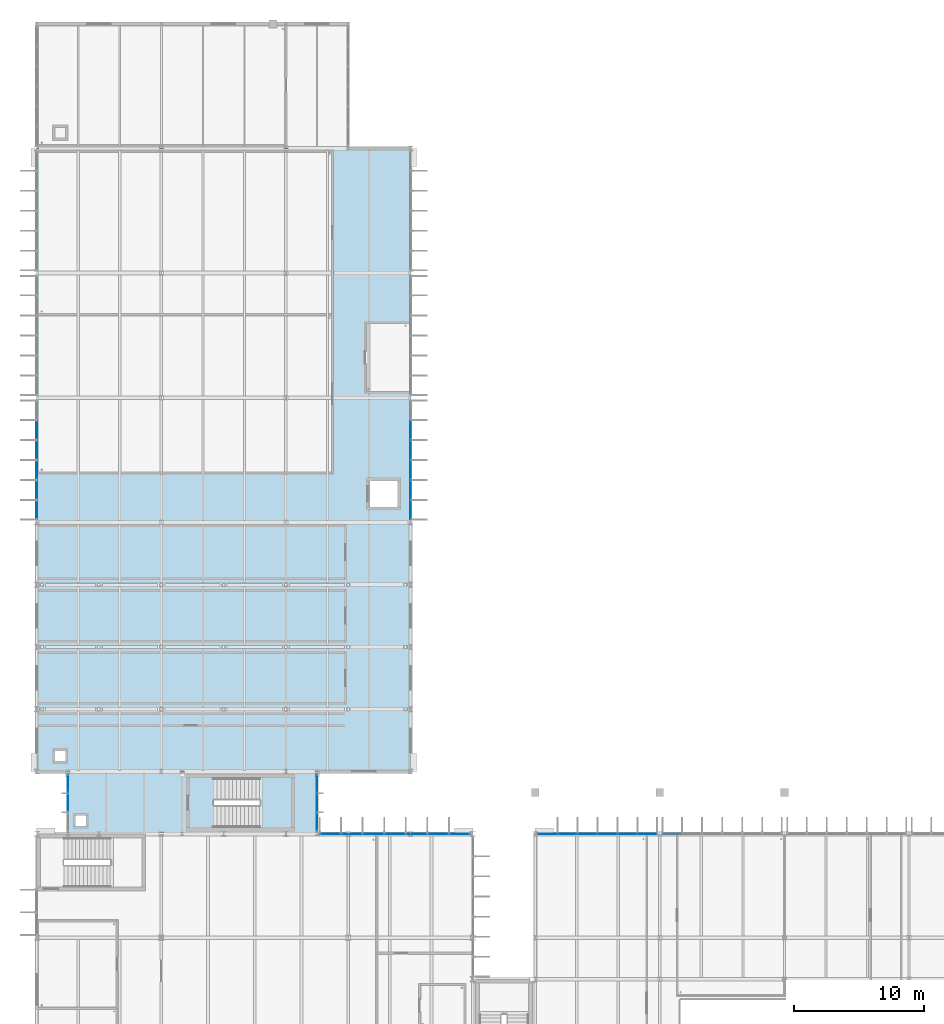
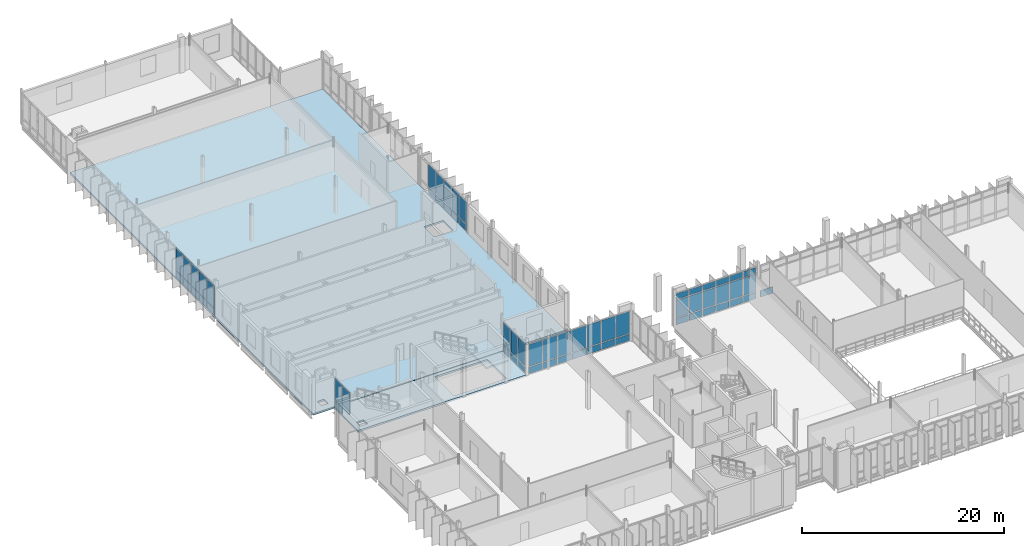
# One storey, part 51 of 110: 62 plates, 3 slabs, 8 elements without a shape of their own.
"""IFC4 building model written with IfcOpenShell, lengths in metres."""

from ifc_helpers import new_model, si_unit, direction, frame, origin, origin_2d, place, context, subcontext, project, spatial, polyline, rectangle, outline, extrude, material, layer, layer_set, type_object, element, aggregate, save


model = new_model("IFC4")

# Units and contexts
model_context = context("Model", 3, precision=1e-05, world=origin(), true_north=direction((0.0, 1.0)))
body_context = subcontext(model_context, "Body", "Model", "MODEL_VIEW")
ifc_project = project(units=[si_unit("LENGTHUNIT", "METRE"), si_unit("AREAUNIT", "SQUARE_METRE"), si_unit("VOLUMEUNIT", "CUBIC_METRE"), si_unit("PLANEANGLEUNIT", "RADIAN"), si_unit("MASSUNIT", "GRAM", prefix="KILO")], contexts=[model_context])

# Site, building, storey
site_placement = place(None, origin())
site = spatial("IfcSite", under=ifc_project, at=site_placement, CompositionType="ELEMENT")
building_placement = place(site_placement, origin())
building = spatial("IfcBuilding", under=site, at=building_placement, Name="Dunescarp Central Library", CompositionType="ELEMENT")
storey_placement = place(building_placement, frame((0.0, 0.0, 9.60009765625)))
storey = spatial("IfcBuildingStorey", under=building, at=storey_placement, Name="L02", CompositionType="ELEMENT", Elevation=9.60009765625)

# Curtain wall, plates
ifc_material_1 = material(Name="Marine-grade anodised aluminium 6063-T6", Category="aluminium")
curtain_wall_type_1 = type_object("IfcCurtainWallType", Name="ARC-CW-STICK", PredefinedType="NOTDEFINED", material=ifc_material_1)
curtain_wall_1_placement = place(storey_placement, origin())
curtain_wall_1 = element("IfcCurtainWall", 1, at=curtain_wall_1_placement, inside=storey, type_object=curtain_wall_type_1, Name="L02 curtain wall CW-V1-014", PredefinedType="NOTDEFINED")
ifc_material_2 = material(Name="Solar-control laminated double glazing", Category="glass")
ifc_layer_1 = layer(ifc_material_2, 0.028076171875)
ifc_layer_set_1 = layer_set([ifc_layer_1], Name="Solar-control laminated double glazing")
plate_type_1 = type_object("IfcPlateType", Name="ARC-PLT-GLZ28", PredefinedType="CURTAIN_PANEL", material=ifc_layer_set_1)
plate_1_placement = place(storey_placement, frame((22.627197265625, 36.800048828125, 0.93994140625), z_axis=(0.0, 0.0, 1.0), x_axis=(1.0, 0.0, 0.0)))
plate_1 = element("IfcPlate", 2, at=plate_1_placement, type_object=plate_type_1, Name="CW-V1-014 panel 1.2", PredefinedType="CURTAIN_PANEL", context=body_context, shape_type="SweptSolid", body=[
    extrude(rectangle(XDim=1.544189453125, YDim=0.028076171875, at=origin_2d()), origin(), (0.0, 0.0, 1.0), 2.6650390625),
])
plate_2_placement = place(storey_placement, frame((24.271484375, 36.800048828125, 0.93994140625), z_axis=(0.0, 0.0, 1.0), x_axis=(1.0, 0.0, 0.0)))
plate_2 = element("IfcPlate", 3, at=plate_2_placement, type_object=plate_type_1, Name="CW-V1-014 panel 2.2", PredefinedType="CURTAIN_PANEL", context=body_context, shape_type="SweptSolid", body=[
    extrude(rectangle(XDim=1.584228515625, YDim=0.028076171875, at=origin_2d()), origin(), (0.0, 0.0, 1.0), 2.6650390625),
])
plate_3_placement = place(storey_placement, frame((25.935791015625, 36.800048828125, 0.93994140625), z_axis=(0.0, 0.0, 1.0), x_axis=(1.0, 0.0, 0.0)))
plate_3 = element("IfcPlate", 4, at=plate_3_placement, type_object=plate_type_1, Name="CW-V1-014 panel 3.2", PredefinedType="CURTAIN_PANEL", context=body_context, shape_type="SweptSolid", body=[
    extrude(rectangle(XDim=1.584228515625, YDim=0.028076171875, at=origin_2d()), origin(), (0.0, 0.0, 1.0), 2.6650390625),
])
plate_4_placement = place(storey_placement, frame((27.60009765625, 36.800048828125, 0.93994140625), z_axis=(0.0, 0.0, 1.0), x_axis=(1.0, 0.0, 0.0)))
plate_4 = element("IfcPlate", 5, at=plate_4_placement, type_object=plate_type_1, Name="CW-V1-014 panel 4.2", PredefinedType="CURTAIN_PANEL", context=body_context, shape_type="SweptSolid", body=[
    extrude(rectangle(XDim=1.584228515625, YDim=0.028076171875, at=origin_2d()), origin(), (0.0, 0.0, 1.0), 2.6650390625),
])
plate_5_placement = place(storey_placement, frame((29.264404296875, 36.800048828125, 0.93994140625), z_axis=(0.0, 0.0, 1.0), x_axis=(1.0, 0.0, 0.0)))
plate_5 = element("IfcPlate", 6, at=plate_5_placement, type_object=plate_type_1, Name="CW-V1-014 panel 5.2", PredefinedType="CURTAIN_PANEL", context=body_context, shape_type="SweptSolid", body=[
    extrude(rectangle(XDim=1.584228515625, YDim=0.028076171875, at=origin_2d()), origin(), (0.0, 0.0, 1.0), 2.6650390625),
])
plate_6_placement = place(storey_placement, frame((30.928466796875, 36.800048828125, 0.93994140625), z_axis=(0.0, 0.0, 1.0), x_axis=(1.0, 0.0, 0.0)))
plate_6 = element("IfcPlate", 7, at=plate_6_placement, type_object=plate_type_1, Name="CW-V1-014 panel 6.2", PredefinedType="CURTAIN_PANEL", context=body_context, shape_type="SweptSolid", body=[
    extrude(rectangle(XDim=1.584228515625, YDim=0.028076171875, at=origin_2d()), origin(), (0.0, 0.0, 1.0), 2.6650390625),
])
plate_7_placement = place(storey_placement, frame((32.57275390625, 36.800048828125, 0.93994140625), z_axis=(0.0, 0.0, 1.0), x_axis=(1.0, 0.0, 0.0)))
plate_7 = element("IfcPlate", 8, at=plate_7_placement, type_object=plate_type_1, Name="CW-V1-014 panel 7.2", PredefinedType="CURTAIN_PANEL", context=body_context, shape_type="SweptSolid", body=[
    extrude(rectangle(XDim=1.544189453125, YDim=0.028076171875, at=origin_2d()), origin(), (0.0, 0.0, 1.0), 2.6650390625),
])

curtain_wall_2_placement = place(storey_placement, origin())
curtain_wall_2 = element("IfcCurtainWall", 9, at=curtain_wall_2_placement, inside=storey, type_object=curtain_wall_type_1, Name="L02 curtain wall CW-V2-057", PredefinedType="NOTDEFINED")
plate_8_placement = place(storey_placement, frame((39.36572265625, 36.800048828125, 0.93994140625), z_axis=(0.0, 0.0, 1.0), x_axis=(1.0, 0.0, 0.0)))
plate_8 = element("IfcPlate", 10, at=plate_8_placement, type_object=plate_type_1, Name="CW-V2-057 panel 1.2", PredefinedType="CURTAIN_PANEL", context=body_context, shape_type="SweptSolid", body=[
    extrude(rectangle(XDim=1.421630859375, YDim=0.028076171875, at=origin_2d()), origin(), (0.0, 0.0, 1.0), 2.1201171875),
])
plate_9_placement = place(storey_placement, frame((39.36572265625, 36.800048828125, 3.139892578125), z_axis=(0.0, 0.0, 1.0), x_axis=(1.0, 0.0, 0.0)))
plate_9 = element("IfcPlate", 11, at=plate_9_placement, type_object=plate_type_1, Name="CW-V2-057 panel 1.3", PredefinedType="CURTAIN_PANEL", context=body_context, shape_type="SweptSolid", body=[
    extrude(rectangle(XDim=1.421630859375, YDim=0.028076171875, at=origin_2d()), origin(), (0.0, 0.0, 1.0), 0.705078125),
])
plate_10_placement = place(storey_placement, frame((40.887451171875, 36.800048828125, 0.93994140625), z_axis=(0.0, 0.0, 1.0), x_axis=(1.0, 0.0, 0.0)))
plate_10 = element("IfcPlate", 12, at=plate_10_placement, type_object=plate_type_1, Name="CW-V2-057 panel 2.2", PredefinedType="CURTAIN_PANEL", context=body_context, shape_type="SweptSolid", body=[
    extrude(rectangle(XDim=1.461669921875, YDim=0.028076171875, at=origin_2d()), origin(), (0.0, 0.0, 1.0), 2.1201171875),
])
plate_11_placement = place(storey_placement, frame((40.887451171875, 36.800048828125, 3.139892578125), z_axis=(0.0, 0.0, 1.0), x_axis=(1.0, 0.0, 0.0)))
plate_11 = element("IfcPlate", 13, at=plate_11_placement, type_object=plate_type_1, Name="CW-V2-057 panel 2.3", PredefinedType="CURTAIN_PANEL", context=body_context, shape_type="SweptSolid", body=[
    extrude(rectangle(XDim=1.461669921875, YDim=0.028076171875, at=origin_2d()), origin(), (0.0, 0.0, 1.0), 0.705078125),
])
plate_12_placement = place(storey_placement, frame((42.42919921875, 36.800048828125, 0.93994140625), z_axis=(0.0, 0.0, 1.0), x_axis=(1.0, 0.0, 0.0)))
plate_12 = element("IfcPlate", 14, at=plate_12_placement, type_object=plate_type_1, Name="CW-V2-057 panel 3.2", PredefinedType="CURTAIN_PANEL", context=body_context, shape_type="SweptSolid", body=[
    extrude(rectangle(XDim=1.461669921875, YDim=0.028076171875, at=origin_2d()), origin(), (0.0, 0.0, 1.0), 2.1201171875),
])
plate_13_placement = place(storey_placement, frame((42.42919921875, 36.800048828125, 3.139892578125), z_axis=(0.0, 0.0, 1.0), x_axis=(1.0, 0.0, 0.0)))
plate_13 = element("IfcPlate", 15, at=plate_13_placement, type_object=plate_type_1, Name="CW-V2-057 panel 3.3", PredefinedType="CURTAIN_PANEL", context=body_context, shape_type="SweptSolid", body=[
    extrude(rectangle(XDim=1.461669921875, YDim=0.028076171875, at=origin_2d()), origin(), (0.0, 0.0, 1.0), 0.705078125),
])
plate_14_placement = place(storey_placement, frame((43.970947265625, 36.800048828125, 0.93994140625), z_axis=(0.0, 0.0, 1.0), x_axis=(1.0, 0.0, 0.0)))
plate_14 = element("IfcPlate", 16, at=plate_14_placement, type_object=plate_type_1, Name="CW-V2-057 panel 4.2", PredefinedType="CURTAIN_PANEL", context=body_context, shape_type="SweptSolid", body=[
    extrude(rectangle(XDim=1.461669921875, YDim=0.028076171875, at=origin_2d()), origin(), (0.0, 0.0, 1.0), 2.1201171875),
])
plate_15_placement = place(storey_placement, frame((43.970947265625, 36.800048828125, 3.139892578125), z_axis=(0.0, 0.0, 1.0), x_axis=(1.0, 0.0, 0.0)))
plate_15 = element("IfcPlate", 17, at=plate_15_placement, type_object=plate_type_1, Name="CW-V2-057 panel 4.3", PredefinedType="CURTAIN_PANEL", context=body_context, shape_type="SweptSolid", body=[
    extrude(rectangle(XDim=1.461669921875, YDim=0.028076171875, at=origin_2d()), origin(), (0.0, 0.0, 1.0), 0.705078125),
])
plate_16_placement = place(storey_placement, frame((45.512451171875, 36.800048828125, 0.93994140625), z_axis=(0.0, 0.0, 1.0), x_axis=(1.0, 0.0, 0.0)))
plate_16 = element("IfcPlate", 18, at=plate_16_placement, type_object=plate_type_1, Name="CW-V2-057 panel 5.2", PredefinedType="CURTAIN_PANEL", context=body_context, shape_type="SweptSolid", body=[
    extrude(rectangle(XDim=1.461669921875, YDim=0.028076171875, at=origin_2d()), origin(), (0.0, 0.0, 1.0), 2.1201171875),
])
plate_17_placement = place(storey_placement, frame((45.512451171875, 36.800048828125, 3.139892578125), z_axis=(0.0, 0.0, 1.0), x_axis=(1.0, 0.0, 0.0)))
plate_17 = element("IfcPlate", 19, at=plate_17_placement, type_object=plate_type_1, Name="CW-V2-057 panel 5.3", PredefinedType="CURTAIN_PANEL", context=body_context, shape_type="SweptSolid", body=[
    extrude(rectangle(XDim=1.461669921875, YDim=0.028076171875, at=origin_2d()), origin(), (0.0, 0.0, 1.0), 0.705078125),
])
plate_18_placement = place(storey_placement, frame((47.0341796875, 36.800048828125, 0.93994140625), z_axis=(0.0, 0.0, 1.0), x_axis=(1.0, 0.0, 0.0)))
plate_18 = element("IfcPlate", 20, at=plate_18_placement, type_object=plate_type_1, Name="CW-V2-057 panel 6.2", PredefinedType="CURTAIN_PANEL", context=body_context, shape_type="SweptSolid", body=[
    extrude(rectangle(XDim=1.421630859375, YDim=0.028076171875, at=origin_2d()), origin(), (0.0, 0.0, 1.0), 2.1201171875),
])
plate_19_placement = place(storey_placement, frame((47.0341796875, 36.800048828125, 3.139892578125), z_axis=(0.0, 0.0, 1.0), x_axis=(1.0, 0.0, 0.0)))
plate_19 = element("IfcPlate", 21, at=plate_19_placement, type_object=plate_type_1, Name="CW-V2-057 panel 6.3", PredefinedType="CURTAIN_PANEL", context=body_context, shape_type="SweptSolid", body=[
    extrude(rectangle(XDim=1.421630859375, YDim=0.028076171875, at=origin_2d()), origin(), (0.0, 0.0, 1.0), 0.705078125),
])

curtain_wall_3_placement = place(storey_placement, origin())
curtain_wall_3 = element("IfcCurtainWall", 22, at=curtain_wall_3_placement, inside=storey, type_object=curtain_wall_type_1, Name="L02 curtain wall CW-V4-124", PredefinedType="NOTDEFINED")
plate_20_placement = place(storey_placement, frame((0.0, 61.765869140625, 0.93994140625), z_axis=(0.0, 0.0, 1.0), x_axis=(0.0, 1.0, 0.0)))
plate_20 = element("IfcPlate", 23, at=plate_20_placement, type_object=plate_type_1, Name="CW-V4-124 panel 1.2", PredefinedType="CURTAIN_PANEL", context=body_context, shape_type="SweptSolid", body=[
    extrude(rectangle(XDim=1.421630859375, YDim=0.028076171875, at=origin_2d()), origin(), (0.0, 0.0, 1.0), 2.681884765625),
])
plate_21_placement = place(storey_placement, frame((0.0, 63.28759765625, 0.93994140625), z_axis=(0.0, 0.0, 1.0), x_axis=(0.0, 1.0, 0.0)))
plate_21 = element("IfcPlate", 24, at=plate_21_placement, type_object=plate_type_1, Name="CW-V4-124 panel 2.2", PredefinedType="CURTAIN_PANEL", context=body_context, shape_type="SweptSolid", body=[
    extrude(rectangle(XDim=1.461669921875, YDim=0.028076171875, at=origin_2d()), origin(), (0.0, 0.0, 1.0), 2.681884765625),
])
plate_22_placement = place(storey_placement, frame((0.0, 64.8291015625, 0.93994140625), z_axis=(0.0, 0.0, 1.0), x_axis=(0.0, 1.0, 0.0)))
plate_22 = element("IfcPlate", 25, at=plate_22_placement, type_object=plate_type_1, Name="CW-V4-124 panel 3.2", PredefinedType="CURTAIN_PANEL", context=body_context, shape_type="SweptSolid", body=[
    extrude(rectangle(XDim=1.461669921875, YDim=0.028076171875, at=origin_2d()), origin(), (0.0, 0.0, 1.0), 2.681884765625),
])
plate_23_placement = place(storey_placement, frame((0.0, 66.370849609375, 0.93994140625), z_axis=(0.0, 0.0, 1.0), x_axis=(0.0, 1.0, 0.0)))
plate_23 = element("IfcPlate", 26, at=plate_23_placement, type_object=plate_type_1, Name="CW-V4-124 panel 4.2", PredefinedType="CURTAIN_PANEL", context=body_context, shape_type="SweptSolid", body=[
    extrude(rectangle(XDim=1.461669921875, YDim=0.028076171875, at=origin_2d()), origin(), (0.0, 0.0, 1.0), 2.681884765625),
])
plate_24_placement = place(storey_placement, frame((0.0, 67.91259765625, 0.93994140625), z_axis=(0.0, 0.0, 1.0), x_axis=(0.0, 1.0, 0.0)))
plate_24 = element("IfcPlate", 27, at=plate_24_placement, type_object=plate_type_1, Name="CW-V4-124 panel 5.2", PredefinedType="CURTAIN_PANEL", context=body_context, shape_type="SweptSolid", body=[
    extrude(rectangle(XDim=1.461669921875, YDim=0.028076171875, at=origin_2d()), origin(), (0.0, 0.0, 1.0), 2.681884765625),
])

curtain_wall_4_placement = place(storey_placement, origin())
curtain_wall_4 = element("IfcCurtainWall", 28, at=curtain_wall_4_placement, inside=storey, type_object=curtain_wall_type_1, Name="L02 curtain wall CW-V4-125", PredefinedType="NOTDEFINED")
plate_25_placement = place(storey_placement, frame((28.800048828125, 67.91259765625, 0.93994140625), z_axis=(0.0, 0.0, 1.0), x_axis=(0.0, -1.0, 0.0)))
plate_25 = element("IfcPlate", 29, at=plate_25_placement, type_object=plate_type_1, Name="CW-V4-125 panel 2.2", PredefinedType="CURTAIN_PANEL", context=body_context, shape_type="SweptSolid", body=[
    extrude(rectangle(XDim=1.461669921875, YDim=0.028076171875, at=origin_2d()), origin(), (0.0, 0.0, 1.0), 2.681884765625),
])
plate_26_placement = place(storey_placement, frame((28.800048828125, 66.370849609375, 0.93994140625), z_axis=(0.0, 0.0, 1.0), x_axis=(0.0, -1.0, 0.0)))
plate_26 = element("IfcPlate", 30, at=plate_26_placement, type_object=plate_type_1, Name="CW-V4-125 panel 3.2", PredefinedType="CURTAIN_PANEL", context=body_context, shape_type="SweptSolid", body=[
    extrude(rectangle(XDim=1.461669921875, YDim=0.028076171875, at=origin_2d()), origin(), (0.0, 0.0, 1.0), 2.681884765625),
])
plate_27_placement = place(storey_placement, frame((28.800048828125, 64.8291015625, 0.93994140625), z_axis=(0.0, 0.0, 1.0), x_axis=(0.0, -1.0, 0.0)))
plate_27 = element("IfcPlate", 31, at=plate_27_placement, type_object=plate_type_1, Name="CW-V4-125 panel 4.2", PredefinedType="CURTAIN_PANEL", context=body_context, shape_type="SweptSolid", body=[
    extrude(rectangle(XDim=1.461669921875, YDim=0.028076171875, at=origin_2d()), origin(), (0.0, 0.0, 1.0), 2.681884765625),
])
plate_28_placement = place(storey_placement, frame((28.800048828125, 63.28759765625, 0.93994140625), z_axis=(0.0, 0.0, 1.0), x_axis=(0.0, -1.0, 0.0)))
plate_28 = element("IfcPlate", 32, at=plate_28_placement, type_object=plate_type_1, Name="CW-V4-125 panel 5.2", PredefinedType="CURTAIN_PANEL", context=body_context, shape_type="SweptSolid", body=[
    extrude(rectangle(XDim=1.461669921875, YDim=0.028076171875, at=origin_2d()), origin(), (0.0, 0.0, 1.0), 2.681884765625),
])
plate_29_placement = place(storey_placement, frame((28.800048828125, 61.765869140625, 0.93994140625), z_axis=(0.0, 0.0, 1.0), x_axis=(0.0, -1.0, 0.0)))
plate_29 = element("IfcPlate", 33, at=plate_29_placement, type_object=plate_type_1, Name="CW-V4-125 panel 6.2", PredefinedType="CURTAIN_PANEL", context=body_context, shape_type="SweptSolid", body=[
    extrude(rectangle(XDim=1.421630859375, YDim=0.028076171875, at=origin_2d()), origin(), (0.0, 0.0, 1.0), 2.681884765625),
])

curtain_wall_type_2 = type_object("IfcCurtainWallType", Name="ARC-CW-LINK", PredefinedType="USERDEFINED", material=ifc_material_1)
curtain_wall_5_placement = place(storey_placement, origin())
curtain_wall_5 = element("IfcCurtainWall", 34, at=curtain_wall_5_placement, inside=storey, type_object=curtain_wall_type_2, Name="L02 curtain wall CW-GL4-W-L02", ObjectType="GLAZED_LINK_WALL", PredefinedType="USERDEFINED")
plate_30_placement = place(storey_placement, frame((2.39990234375, 39.199951171875, 0.93994140625), z_axis=(0.0, 0.0, 1.0), x_axis=(0.0, 1.0, 0.0)))
plate_30 = element("IfcPlate", 35, at=plate_30_placement, type_object=plate_type_1, Name="CW-GL4-W-L02 panel 2.2", PredefinedType="CURTAIN_PANEL", context=body_context, shape_type="SweptSolid", body=[
    extrude(rectangle(XDim=1.4033203125, YDim=0.028076171875, at=origin_2d()), origin(), (0.0, 0.0, 1.0), 2.6650390625),
])
plate_31_placement = place(storey_placement, frame((2.39990234375, 40.663330078125, 0.93994140625), z_axis=(0.0, 0.0, 1.0), x_axis=(0.0, 1.0, 0.0)))
plate_31 = element("IfcPlate", 36, at=plate_31_placement, type_object=plate_type_1, Name="CW-GL4-W-L02 panel 3.2", PredefinedType="CURTAIN_PANEL", context=body_context, shape_type="SweptSolid", body=[
    extrude(rectangle(XDim=1.36328125, YDim=0.028076171875, at=origin_2d()), origin(), (0.0, 0.0, 1.0), 2.6650390625),
])

curtain_wall_6_placement = place(storey_placement, origin())
curtain_wall_6 = element("IfcCurtainWall", 37, at=curtain_wall_6_placement, inside=storey, type_object=curtain_wall_type_2, Name="L02 curtain wall CW-GL4-E-L02", ObjectType="GLAZED_LINK_WALL", PredefinedType="USERDEFINED")
plate_32_placement = place(storey_placement, frame((21.60009765625, 40.663330078125, 0.93994140625), z_axis=(0.0, 0.0, 1.0), x_axis=(0.0, -1.0, 0.0)))
plate_32 = element("IfcPlate", 38, at=plate_32_placement, type_object=plate_type_1, Name="CW-GL4-E-L02 panel 1.2", PredefinedType="CURTAIN_PANEL", context=body_context, shape_type="SweptSolid", body=[
    extrude(rectangle(XDim=1.36328125, YDim=0.028076171875, at=origin_2d()), origin(), (0.0, 0.0, 1.0), 2.6650390625),
])
plate_33_placement = place(storey_placement, frame((21.60009765625, 39.199951171875, 0.93994140625), z_axis=(0.0, 0.0, 1.0), x_axis=(0.0, -1.0, 0.0)))
plate_33 = element("IfcPlate", 39, at=plate_33_placement, type_object=plate_type_1, Name="CW-GL4-E-L02 panel 2.2", PredefinedType="CURTAIN_PANEL", context=body_context, shape_type="SweptSolid", body=[
    extrude(rectangle(XDim=1.4033203125, YDim=0.028076171875, at=origin_2d()), origin(), (0.0, 0.0, 1.0), 2.6650390625),
])
plate_34_placement = place(storey_placement, frame((21.60009765625, 37.736572265625, 0.93994140625), z_axis=(0.0, 0.0, 1.0), x_axis=(0.0, -1.0, 0.0)))
plate_34 = element("IfcPlate", 40, at=plate_34_placement, type_object=plate_type_1, Name="CW-GL4-E-L02 panel 3.2", PredefinedType="CURTAIN_PANEL", context=body_context, shape_type="SweptSolid", body=[
    extrude(rectangle(XDim=1.36328125, YDim=0.028076171875, at=origin_2d()), origin(), (0.0, 0.0, 1.0), 2.6650390625),
])

# Plate
ifc_layer_2 = layer(ifc_material_1, 0.050048828125)
ifc_layer_set_2 = layer_set([ifc_layer_2], Name="Marine-grade anodised aluminium 6063-T6")
plate_type_2 = type_object("IfcPlateType", Name="ARC-PLT-SPN50", PredefinedType="SHEET", material=ifc_layer_set_2)
plate_35_placement = place(storey_placement, frame((22.627197265625, 36.800048828125, 0.080078125), z_axis=(0.0, 0.0, 1.0), x_axis=(1.0, 0.0, 0.0)))
plate_35 = element("IfcPlate", 41, at=plate_35_placement, type_object=plate_type_2, Name="CW-V1-014 panel 1.1", PredefinedType="SHEET", context=body_context, shape_type="SweptSolid", body=[
    extrude(rectangle(XDim=1.544189453125, YDim=0.050048828125, at=origin_2d()), origin(), (0.0, 0.0, 1.0), 0.780029296875),
])

plate_36_placement = place(storey_placement, frame((24.271484375, 36.800048828125, 0.080078125), z_axis=(0.0, 0.0, 1.0), x_axis=(1.0, 0.0, 0.0)))
plate_36 = element("IfcPlate", 42, at=plate_36_placement, type_object=plate_type_2, Name="CW-V1-014 panel 2.1", PredefinedType="SHEET", context=body_context, shape_type="SweptSolid", body=[
    extrude(rectangle(XDim=1.584228515625, YDim=0.050048828125, at=origin_2d()), origin(), (0.0, 0.0, 1.0), 0.780029296875),
])

plate_37_placement = place(storey_placement, frame((25.935791015625, 36.800048828125, 0.080078125), z_axis=(0.0, 0.0, 1.0), x_axis=(1.0, 0.0, 0.0)))
plate_37 = element("IfcPlate", 43, at=plate_37_placement, type_object=plate_type_2, Name="CW-V1-014 panel 3.1", PredefinedType="SHEET", context=body_context, shape_type="SweptSolid", body=[
    extrude(rectangle(XDim=1.584228515625, YDim=0.050048828125, at=origin_2d()), origin(), (0.0, 0.0, 1.0), 0.780029296875),
])

plate_38_placement = place(storey_placement, frame((27.60009765625, 36.800048828125, 0.080078125), z_axis=(0.0, 0.0, 1.0), x_axis=(1.0, 0.0, 0.0)))
plate_38 = element("IfcPlate", 44, at=plate_38_placement, type_object=plate_type_2, Name="CW-V1-014 panel 4.1", PredefinedType="SHEET", context=body_context, shape_type="SweptSolid", body=[
    extrude(rectangle(XDim=1.584228515625, YDim=0.050048828125, at=origin_2d()), origin(), (0.0, 0.0, 1.0), 0.780029296875),
])

plate_39_placement = place(storey_placement, frame((29.264404296875, 36.800048828125, 0.080078125), z_axis=(0.0, 0.0, 1.0), x_axis=(1.0, 0.0, 0.0)))
plate_39 = element("IfcPlate", 45, at=plate_39_placement, type_object=plate_type_2, Name="CW-V1-014 panel 5.1", PredefinedType="SHEET", context=body_context, shape_type="SweptSolid", body=[
    extrude(rectangle(XDim=1.584228515625, YDim=0.050048828125, at=origin_2d()), origin(), (0.0, 0.0, 1.0), 0.780029296875),
])

plate_40_placement = place(storey_placement, frame((30.928466796875, 36.800048828125, 0.080078125), z_axis=(0.0, 0.0, 1.0), x_axis=(1.0, 0.0, 0.0)))
plate_40 = element("IfcPlate", 46, at=plate_40_placement, type_object=plate_type_2, Name="CW-V1-014 panel 6.1", PredefinedType="SHEET", context=body_context, shape_type="SweptSolid", body=[
    extrude(rectangle(XDim=1.584228515625, YDim=0.050048828125, at=origin_2d()), origin(), (0.0, 0.0, 1.0), 0.780029296875),
])

plate_41_placement = place(storey_placement, frame((32.57275390625, 36.800048828125, 0.080078125), z_axis=(0.0, 0.0, 1.0), x_axis=(1.0, 0.0, 0.0)))
plate_41 = element("IfcPlate", 47, at=plate_41_placement, type_object=plate_type_2, Name="CW-V1-014 panel 7.1", PredefinedType="SHEET", context=body_context, shape_type="SweptSolid", body=[
    extrude(rectangle(XDim=1.544189453125, YDim=0.050048828125, at=origin_2d()), origin(), (0.0, 0.0, 1.0), 0.780029296875),
])

aggregate(curtain_wall_1, [plate_35, plate_1, plate_36, plate_2, plate_37, plate_3, plate_38, plate_4, plate_39, plate_5, plate_40, plate_6, plate_41, plate_7])

plate_42_placement = place(storey_placement, frame((39.36572265625, 36.800048828125, 0.080078125), z_axis=(0.0, 0.0, 1.0), x_axis=(1.0, 0.0, 0.0)))
plate_42 = element("IfcPlate", 48, at=plate_42_placement, type_object=plate_type_2, Name="CW-V2-057 panel 1.1", PredefinedType="SHEET", context=body_context, shape_type="SweptSolid", body=[
    extrude(rectangle(XDim=1.421630859375, YDim=0.050048828125, at=origin_2d()), origin(), (0.0, 0.0, 1.0), 0.780029296875),
])

plate_43_placement = place(storey_placement, frame((40.887451171875, 36.800048828125, 0.080078125), z_axis=(0.0, 0.0, 1.0), x_axis=(1.0, 0.0, 0.0)))
plate_43 = element("IfcPlate", 49, at=plate_43_placement, type_object=plate_type_2, Name="CW-V2-057 panel 2.1", PredefinedType="SHEET", context=body_context, shape_type="SweptSolid", body=[
    extrude(rectangle(XDim=1.461669921875, YDim=0.050048828125, at=origin_2d()), origin(), (0.0, 0.0, 1.0), 0.780029296875),
])

plate_44_placement = place(storey_placement, frame((42.42919921875, 36.800048828125, 0.080078125), z_axis=(0.0, 0.0, 1.0), x_axis=(1.0, 0.0, 0.0)))
plate_44 = element("IfcPlate", 50, at=plate_44_placement, type_object=plate_type_2, Name="CW-V2-057 panel 3.1", PredefinedType="SHEET", context=body_context, shape_type="SweptSolid", body=[
    extrude(rectangle(XDim=1.461669921875, YDim=0.050048828125, at=origin_2d()), origin(), (0.0, 0.0, 1.0), 0.780029296875),
])

plate_45_placement = place(storey_placement, frame((43.970947265625, 36.800048828125, 0.080078125), z_axis=(0.0, 0.0, 1.0), x_axis=(1.0, 0.0, 0.0)))
plate_45 = element("IfcPlate", 51, at=plate_45_placement, type_object=plate_type_2, Name="CW-V2-057 panel 4.1", PredefinedType="SHEET", context=body_context, shape_type="SweptSolid", body=[
    extrude(rectangle(XDim=1.461669921875, YDim=0.050048828125, at=origin_2d()), origin(), (0.0, 0.0, 1.0), 0.780029296875),
])

plate_46_placement = place(storey_placement, frame((45.512451171875, 36.800048828125, 0.080078125), z_axis=(0.0, 0.0, 1.0), x_axis=(1.0, 0.0, 0.0)))
plate_46 = element("IfcPlate", 52, at=plate_46_placement, type_object=plate_type_2, Name="CW-V2-057 panel 5.1", PredefinedType="SHEET", context=body_context, shape_type="SweptSolid", body=[
    extrude(rectangle(XDim=1.461669921875, YDim=0.050048828125, at=origin_2d()), origin(), (0.0, 0.0, 1.0), 0.780029296875),
])

plate_47_placement = place(storey_placement, frame((47.0341796875, 36.800048828125, 0.080078125), z_axis=(0.0, 0.0, 1.0), x_axis=(1.0, 0.0, 0.0)))
plate_47 = element("IfcPlate", 53, at=plate_47_placement, type_object=plate_type_2, Name="CW-V2-057 panel 6.1", PredefinedType="SHEET", context=body_context, shape_type="SweptSolid", body=[
    extrude(rectangle(XDim=1.421630859375, YDim=0.050048828125, at=origin_2d()), origin(), (0.0, 0.0, 1.0), 0.780029296875),
])

aggregate(curtain_wall_2, [plate_42, plate_8, plate_9, plate_43, plate_10, plate_11, plate_44, plate_12, plate_13, plate_45, plate_14, plate_15, plate_46, plate_16, plate_17, plate_47, plate_18, plate_19])

# Curtain wall, plate
curtain_wall_7_placement = place(storey_placement, origin())
curtain_wall_7 = element("IfcCurtainWall", 54, at=curtain_wall_7_placement, inside=storey, type_object=curtain_wall_type_1, Name="L02 curtain wall CW-V2-058", PredefinedType="NOTDEFINED")
plate_48_placement = place(storey_placement, frame((48.9658203125, 36.800048828125, 0.080078125), z_axis=(0.0, 0.0, 1.0), x_axis=(1.0, 0.0, 0.0)))
plate_48 = element("IfcPlate", 55, at=plate_48_placement, type_object=plate_type_2, Name="CW-V2-058 panel 1.1", PredefinedType="SHEET", context=body_context, shape_type="SweptSolid", body=[
    extrude(rectangle(XDim=1.421630859375, YDim=0.050048828125, at=origin_2d()), origin(), (0.0, 0.0, 1.0), 0.780029296875),
])
aggregate(curtain_wall_7, [plate_48])

# Plate
plate_49_placement = place(storey_placement, frame((0.0, 61.765869140625, 0.080078125), z_axis=(0.0, 0.0, 1.0), x_axis=(0.0, 1.0, 0.0)))
plate_49 = element("IfcPlate", 56, at=plate_49_placement, type_object=plate_type_2, Name="CW-V4-124 panel 1.1", PredefinedType="SHEET", context=body_context, shape_type="SweptSolid", body=[
    extrude(rectangle(XDim=1.421630859375, YDim=0.050048828125, at=origin_2d()), origin(), (0.0, 0.0, 1.0), 0.780029296875),
])

plate_50_placement = place(storey_placement, frame((0.0, 63.28759765625, 0.080078125), z_axis=(0.0, 0.0, 1.0), x_axis=(0.0, 1.0, 0.0)))
plate_50 = element("IfcPlate", 57, at=plate_50_placement, type_object=plate_type_2, Name="CW-V4-124 panel 2.1", PredefinedType="SHEET", context=body_context, shape_type="SweptSolid", body=[
    extrude(rectangle(XDim=1.461669921875, YDim=0.050048828125, at=origin_2d()), origin(), (0.0, 0.0, 1.0), 0.780029296875),
])

plate_51_placement = place(storey_placement, frame((0.0, 64.8291015625, 0.080078125), z_axis=(0.0, 0.0, 1.0), x_axis=(0.0, 1.0, 0.0)))
plate_51 = element("IfcPlate", 58, at=plate_51_placement, type_object=plate_type_2, Name="CW-V4-124 panel 3.1", PredefinedType="SHEET", context=body_context, shape_type="SweptSolid", body=[
    extrude(rectangle(XDim=1.461669921875, YDim=0.050048828125, at=origin_2d()), origin(), (0.0, 0.0, 1.0), 0.780029296875),
])

plate_52_placement = place(storey_placement, frame((0.0, 66.370849609375, 0.080078125), z_axis=(0.0, 0.0, 1.0), x_axis=(0.0, 1.0, 0.0)))
plate_52 = element("IfcPlate", 59, at=plate_52_placement, type_object=plate_type_2, Name="CW-V4-124 panel 4.1", PredefinedType="SHEET", context=body_context, shape_type="SweptSolid", body=[
    extrude(rectangle(XDim=1.461669921875, YDim=0.050048828125, at=origin_2d()), origin(), (0.0, 0.0, 1.0), 0.780029296875),
])

plate_53_placement = place(storey_placement, frame((0.0, 67.91259765625, 0.080078125), z_axis=(0.0, 0.0, 1.0), x_axis=(0.0, 1.0, 0.0)))
plate_53 = element("IfcPlate", 60, at=plate_53_placement, type_object=plate_type_2, Name="CW-V4-124 panel 5.1", PredefinedType="SHEET", context=body_context, shape_type="SweptSolid", body=[
    extrude(rectangle(XDim=1.461669921875, YDim=0.050048828125, at=origin_2d()), origin(), (0.0, 0.0, 1.0), 0.780029296875),
])

aggregate(curtain_wall_3, [plate_49, plate_20, plate_50, plate_21, plate_51, plate_22, plate_52, plate_23, plate_53, plate_24])

plate_54_placement = place(storey_placement, frame((28.800048828125, 67.91259765625, 0.080078125), z_axis=(0.0, 0.0, 1.0), x_axis=(0.0, -1.0, 0.0)))
plate_54 = element("IfcPlate", 61, at=plate_54_placement, type_object=plate_type_2, Name="CW-V4-125 panel 2.1", PredefinedType="SHEET", context=body_context, shape_type="SweptSolid", body=[
    extrude(rectangle(XDim=1.461669921875, YDim=0.050048828125, at=origin_2d()), origin(), (0.0, 0.0, 1.0), 0.780029296875),
])

plate_55_placement = place(storey_placement, frame((28.800048828125, 66.370849609375, 0.080078125), z_axis=(0.0, 0.0, 1.0), x_axis=(0.0, -1.0, 0.0)))
plate_55 = element("IfcPlate", 62, at=plate_55_placement, type_object=plate_type_2, Name="CW-V4-125 panel 3.1", PredefinedType="SHEET", context=body_context, shape_type="SweptSolid", body=[
    extrude(rectangle(XDim=1.461669921875, YDim=0.050048828125, at=origin_2d()), origin(), (0.0, 0.0, 1.0), 0.780029296875),
])

plate_56_placement = place(storey_placement, frame((28.800048828125, 64.8291015625, 0.080078125), z_axis=(0.0, 0.0, 1.0), x_axis=(0.0, -1.0, 0.0)))
plate_56 = element("IfcPlate", 63, at=plate_56_placement, type_object=plate_type_2, Name="CW-V4-125 panel 4.1", PredefinedType="SHEET", context=body_context, shape_type="SweptSolid", body=[
    extrude(rectangle(XDim=1.461669921875, YDim=0.050048828125, at=origin_2d()), origin(), (0.0, 0.0, 1.0), 0.780029296875),
])

plate_57_placement = place(storey_placement, frame((28.800048828125, 63.28759765625, 0.080078125), z_axis=(0.0, 0.0, 1.0), x_axis=(0.0, -1.0, 0.0)))
plate_57 = element("IfcPlate", 64, at=plate_57_placement, type_object=plate_type_2, Name="CW-V4-125 panel 5.1", PredefinedType="SHEET", context=body_context, shape_type="SweptSolid", body=[
    extrude(rectangle(XDim=1.461669921875, YDim=0.050048828125, at=origin_2d()), origin(), (0.0, 0.0, 1.0), 0.780029296875),
])

plate_58_placement = place(storey_placement, frame((28.800048828125, 61.765869140625, 0.080078125), z_axis=(0.0, 0.0, 1.0), x_axis=(0.0, -1.0, 0.0)))
plate_58 = element("IfcPlate", 65, at=plate_58_placement, type_object=plate_type_2, Name="CW-V4-125 panel 6.1", PredefinedType="SHEET", context=body_context, shape_type="SweptSolid", body=[
    extrude(rectangle(XDim=1.421630859375, YDim=0.050048828125, at=origin_2d()), origin(), (0.0, 0.0, 1.0), 0.780029296875),
])

aggregate(curtain_wall_4, [plate_54, plate_25, plate_55, plate_26, plate_56, plate_27, plate_57, plate_28, plate_58, plate_29])

plate_59_placement = place(storey_placement, frame((2.39990234375, 40.663330078125, 0.080078125), z_axis=(0.0, 0.0, 1.0), x_axis=(0.0, 1.0, 0.0)))
plate_59 = element("IfcPlate", 66, at=plate_59_placement, type_object=plate_type_2, Name="CW-GL4-W-L02 panel 3.1", PredefinedType="SHEET", context=body_context, shape_type="SweptSolid", body=[
    extrude(rectangle(XDim=1.36328125, YDim=0.050048828125, at=origin_2d()), origin(), (0.0, 0.0, 1.0), 0.780029296875),
])

aggregate(curtain_wall_5, [plate_30, plate_59, plate_31])

plate_60_placement = place(storey_placement, frame((21.60009765625, 40.663330078125, 0.080078125), z_axis=(0.0, 0.0, 1.0), x_axis=(0.0, -1.0, 0.0)))
plate_60 = element("IfcPlate", 67, at=plate_60_placement, type_object=plate_type_2, Name="CW-GL4-E-L02 panel 1.1", PredefinedType="SHEET", context=body_context, shape_type="SweptSolid", body=[
    extrude(rectangle(XDim=1.36328125, YDim=0.050048828125, at=origin_2d()), origin(), (0.0, 0.0, 1.0), 0.780029296875),
])

plate_61_placement = place(storey_placement, frame((21.60009765625, 39.199951171875, 0.080078125), z_axis=(0.0, 0.0, 1.0), x_axis=(0.0, -1.0, 0.0)))
plate_61 = element("IfcPlate", 68, at=plate_61_placement, type_object=plate_type_2, Name="CW-GL4-E-L02 panel 2.1", PredefinedType="SHEET", context=body_context, shape_type="SweptSolid", body=[
    extrude(rectangle(XDim=1.4033203125, YDim=0.050048828125, at=origin_2d()), origin(), (0.0, 0.0, 1.0), 0.780029296875),
])

plate_62_placement = place(storey_placement, frame((21.60009765625, 37.736572265625, 0.080078125), z_axis=(0.0, 0.0, 1.0), x_axis=(0.0, -1.0, 0.0)))
plate_62 = element("IfcPlate", 69, at=plate_62_placement, type_object=plate_type_2, Name="CW-GL4-E-L02 panel 3.1", PredefinedType="SHEET", context=body_context, shape_type="SweptSolid", body=[
    extrude(rectangle(XDim=1.36328125, YDim=0.050048828125, at=origin_2d()), origin(), (0.0, 0.0, 1.0), 0.780029296875),
])

aggregate(curtain_wall_6, [plate_60, plate_32, plate_61, plate_33, plate_62, plate_34])

# Stair, slab
ifc_material_3 = material(Name="Concrete C35/45", Category="concrete")
stair_type = type_object("IfcStairType", Name="ARC-STR-TYP", PredefinedType="HALF_TURN_STAIR", material=ifc_material_3)
stair_placement = place(storey_placement, origin())
stair = element("IfcStair", 70, at=stair_placement, inside=storey, type_object=stair_type, Name="L02 Protected escape stair ST-4", PredefinedType="HALF_TURN_STAIR")
ifc_layer_3 = layer(ifc_material_3, 0.199951171875)
ifc_layer_set_3 = layer_set([ifc_layer_3], Name="Concrete C35/45")
slab_type_1 = type_object("IfcSlabType", Name="STR-SLB-LAND200", PredefinedType="LANDING", material=ifc_layer_set_3)
slab_1_placement = place(storey_placement, frame((0.0, 0.0, 2.0498046875)))
slab_1 = element("IfcSlab", 71, at=slab_1_placement, type_object=slab_type_1, Name="ST-4 landing 1", PredefinedType="LANDING", context=body_context, shape_type="SweptSolid", body=[
    extrude(outline(polyline([(17.18505859375, 37.14990234375), (19.75, 37.14990234375), (19.75, 41.25), (17.18505859375, 41.25), (17.18505859375, 37.14990234375)])), origin(), (0.0, 0.0, 1.0), 0.2001953125),
])
aggregate(stair, [slab_1])

# Slabs
ifc_layer_4 = layer(ifc_material_3, 0.2099609375)
ifc_layer_set_4 = layer_set([ifc_layer_4], Name="Concrete C35/45")
slab_type_2 = type_object("IfcSlabType", Name="STR-SLB-READ210", PredefinedType="FLOOR", material=ifc_layer_set_4)
slab_2_placement = place(storey_placement, frame((0.0, 0.0, -0.210205078125)))
element("IfcSlab", 72, at=slab_2_placement, inside=storey, type_object=slab_type_2, Name="L02 V4 slab", PredefinedType="FLOOR", context=body_context, shape_type="SweptSolid", body=[
    extrude(outline(polyline([(0.0, 41.60009765625), (28.800048828125, 41.60009765625), (28.800048828125, 89.60009765625), (0.0, 89.60009765625), (0.0, 41.60009765625)]), holes=[polyline([(25.60009765625, 62.0), (27.800048828125, 62.0), (27.800048828125, 64.0), (25.60009765625, 64.0), (25.60009765625, 62.0)]), polyline([(1.39990234375, 42.39990234375), (2.199951171875, 42.39990234375), (2.199951171875, 43.199951171875), (1.39990234375, 43.199951171875), (1.39990234375, 42.39990234375)])]), origin(), (0.0, 0.0, 1.0), 0.210205078125),
])
slab_3_placement = place(storey_placement, frame((0.0, 0.0, -0.210205078125)))
element("IfcSlab", 73, at=slab_3_placement, inside=storey, type_object=slab_type_2, Name="L02 GL4 slab", PredefinedType="FLOOR", context=body_context, shape_type="SweptSolid", body=[
    extrude(outline(polyline([(2.39990234375, 36.85009765625), (21.60009765625, 36.85009765625), (21.60009765625, 41.550048828125), (2.39990234375, 41.550048828125), (2.39990234375, 36.85009765625)]), holes=[polyline([(13.614990234375, 37.300048828125), (19.60009765625, 37.300048828125), (19.60009765625, 41.10009765625), (13.614990234375, 41.10009765625), (13.614990234375, 37.300048828125)]), polyline([(3.0, 37.39990234375), (3.800048828125, 37.39990234375), (3.800048828125, 38.199951171875), (3.0, 38.199951171875), (3.0, 37.39990234375)])]), origin(), (0.0, 0.0, 1.0), 0.210205078125),
])

save(model, "model.ifc")
